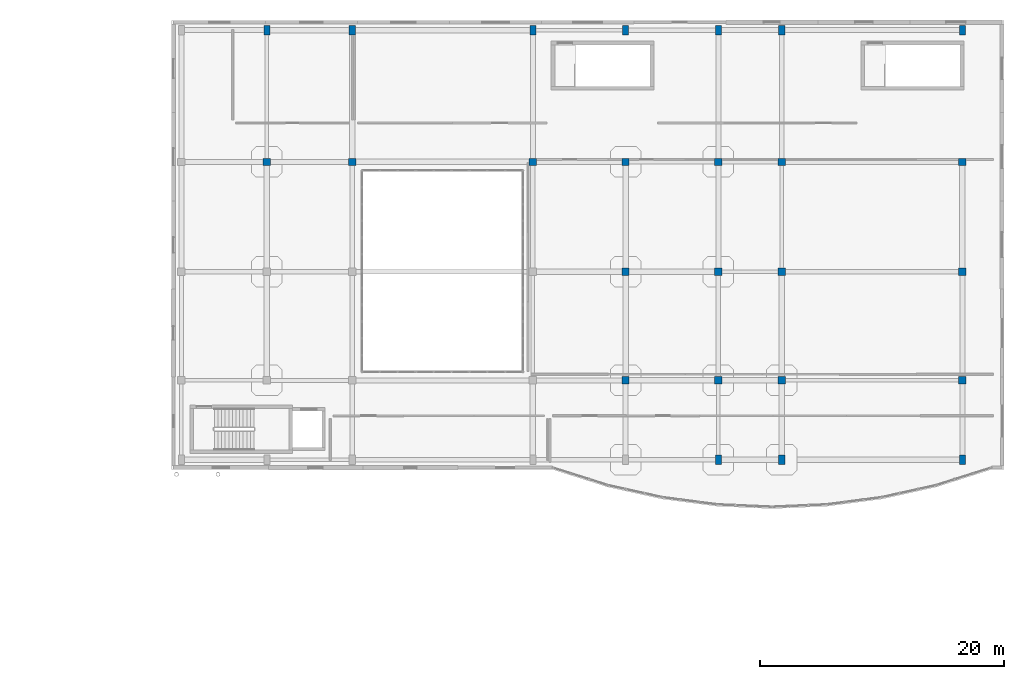
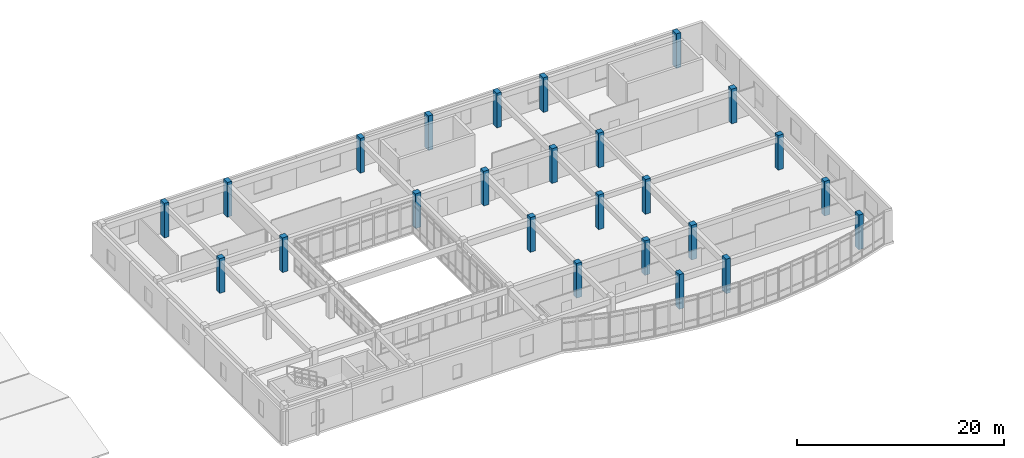
# One storey, part 12 of 91: 25 columns.
"""IFC4 building model written with IfcOpenShell, lengths in metres."""

from ifc_helpers import new_model, si_unit, direction, frame, origin, origin_2d, place, context, subcontext, project, spatial, rectangle, extrude, material, material_profile, profile_set, type_object, element, save


model = new_model("IFC4")

# Units and contexts
model_context = context("Model", 3, precision=1e-05, world=origin(), true_north=direction((0.0, 1.0)))
body_context = subcontext(model_context, "Body", "Model", "MODEL_VIEW")
ifc_project = project(units=[si_unit("LENGTHUNIT", "METRE"), si_unit("AREAUNIT", "SQUARE_METRE"), si_unit("VOLUMEUNIT", "CUBIC_METRE"), si_unit("PLANEANGLEUNIT", "RADIAN"), si_unit("MASSUNIT", "GRAM", prefix="KILO")], contexts=[model_context])

# Site, building, storey
site_placement = place(None, origin())
site = spatial("IfcSite", under=ifc_project, at=site_placement, CompositionType="ELEMENT")
building_placement = place(site_placement, origin())
building = spatial("IfcBuilding", under=site, at=building_placement, Name="Valcora Specialist Clinic", CompositionType="ELEMENT")
storey_placement = place(building_placement, frame((0.0, 0.0, 13.60009765625)))
storey = spatial("IfcBuildingStorey", under=building, at=storey_placement, Name="L03", CompositionType="ELEMENT", Elevation=13.60009765625)

# Columns
ifc_material = material(Name="Concrete C40/50", Category="concrete")
ifc_material_profile_1 = material_profile(ifc_material, rectangle(XDim=0.5, YDim=0.75, at=origin_2d()), Name="RC-COL-500X750")
ifc_profile_set_1 = profile_set([ifc_material_profile_1], Name="Concrete C40/50")
column_type_1 = type_object("IfcColumnType", Name="TY-COL-RC500X750", PredefinedType="COLUMN", material=ifc_profile_set_1)
for number, where, z_axis, x_axis, name in (
    (1, (69.0, 110.0, 0.0), (0.0, 0.0, 1.0), (1.0, 0.0, 0.0), "Column COL-L03-0350"),
    (2, (76.0, 110.0, 0.0), (0.0, 0.0, 1.0), (1.0, 0.0, 0.0), "Column COL-L03-0375"),
    (3, (90.800048828125, 110.0, 0.0), (0.0, 0.0, 1.0), (1.0, 0.0, 0.0), "Column COL-L03-0400"),
    (4, (98.39990234375, 110.0, 0.0), (0.0, 0.0, 1.0), (1.0, 0.0, 0.0), "Column COL-L03-0425"),
    (5, (106.0, 74.800048828125, 0.0), (0.0, 0.0, 1.0), (1.0, 0.0, 0.0), "Column COL-L03-0430"),
    (6, (106.0, 110.0, 0.0), (0.0, 0.0, 1.0), (1.0, 0.0, 0.0), "Column COL-L03-0450"),
    (7, (111.199951171875, 74.800048828125, 0.0), (0.0, 0.0, 1.0), (1.0, 0.0, 0.0), "Column COL-L03-0455"),
    (8, (111.199951171875, 110.0, 0.0), (0.0, 0.0, 1.0), (1.0, 0.0, 0.0), "Column COL-L03-0475"),
    (9, (126.0, 74.800048828125, 0.0), (0.0, 0.0, 1.0), (1.0, 0.0, 0.0), "Column COL-L03-0480"),
    (10, (126.0, 110.0, 0.0), (0.0, 0.0, 1.0), (1.0, 0.0, 0.0), "Column COL-L03-0500"),
):
    element("IfcColumn", number, at=place(storey_placement, frame(where, z_axis=z_axis, x_axis=x_axis)), inside=storey, type_object=column_type_1, Name=name, PredefinedType="COLUMN", context=body_context, shape_type="SweptSolid", body=[
        extrude(rectangle(XDim=0.5, YDim=0.75, at=origin_2d()), origin(), (0.0, 0.0, 1.0), 4.079833984375),
    ])
ifc_material_profile_2 = material_profile(ifc_material, rectangle(XDim=0.60009765625, YDim=0.60009765625, at=origin_2d()), Name="RC-COL-600X600")
ifc_profile_set_2 = profile_set([ifc_material_profile_2], Name="Concrete C40/50")
column_type_2 = type_object("IfcColumnType", Name="TY-COL-RC600", PredefinedType="COLUMN", material=ifc_profile_set_2)
for number, where, z_axis, x_axis, name in (
    (11, (69.0, 99.199951171875, 0.0), (0.0, 0.0, 1.0), (1.0, 0.0, 0.0), "Column COL-L03-0345"),
    (12, (76.0, 99.199951171875, 0.0), (0.0, 0.0, 1.0), (1.0, 0.0, 0.0), "Column COL-L03-0370"),
    (13, (90.800048828125, 99.199951171875, 0.0), (0.0, 0.0, 1.0), (1.0, 0.0, 0.0), "Column COL-L03-0395"),
    (14, (98.39990234375, 81.300048828125, 0.0), (0.0, 0.0, 1.0), (1.0, 0.0, 0.0), "Column COL-L03-0410"),
    (15, (98.39990234375, 90.199951171875, 0.0), (0.0, 0.0, 1.0), (1.0, 0.0, 0.0), "Column COL-L03-0415"),
    (16, (98.39990234375, 99.199951171875, 0.0), (0.0, 0.0, 1.0), (1.0, 0.0, 0.0), "Column COL-L03-0420"),
    (17, (106.0, 81.300048828125, 0.0), (0.0, 0.0, 1.0), (1.0, 0.0, 0.0), "Column COL-L03-0435"),
    (18, (106.0, 90.199951171875, 0.0), (0.0, 0.0, 1.0), (1.0, 0.0, 0.0), "Column COL-L03-0440"),
    (19, (106.0, 99.199951171875, 0.0), (0.0, 0.0, 1.0), (1.0, 0.0, 0.0), "Column COL-L03-0445"),
    (20, (111.199951171875, 81.300048828125, 0.0), (0.0, 0.0, 1.0), (1.0, 0.0, 0.0), "Column COL-L03-0460"),
    (21, (111.199951171875, 90.199951171875, 0.0), (0.0, 0.0, 1.0), (1.0, 0.0, 0.0), "Column COL-L03-0465"),
    (22, (111.199951171875, 99.199951171875, 0.0), (0.0, 0.0, 1.0), (1.0, 0.0, 0.0), "Column COL-L03-0470"),
    (23, (126.0, 81.300048828125, 0.0), (0.0, 0.0, 1.0), (1.0, 0.0, 0.0), "Column COL-L03-0485"),
    (24, (126.0, 90.199951171875, 0.0), (0.0, 0.0, 1.0), (1.0, 0.0, 0.0), "Column COL-L03-0490"),
    (25, (126.0, 99.199951171875, 0.0), (0.0, 0.0, 1.0), (1.0, 0.0, 0.0), "Column COL-L03-0495"),
):
    element("IfcColumn", number, at=place(storey_placement, frame(where, z_axis=z_axis, x_axis=x_axis)), inside=storey, type_object=column_type_2, Name=name, PredefinedType="COLUMN", context=body_context, shape_type="SweptSolid", body=[
        extrude(rectangle(XDim=0.60009765625, YDim=0.60009765625, at=origin_2d()), origin(), (0.0, 0.0, 1.0), 4.079833984375),
    ])

save(model, "model.ifc")
